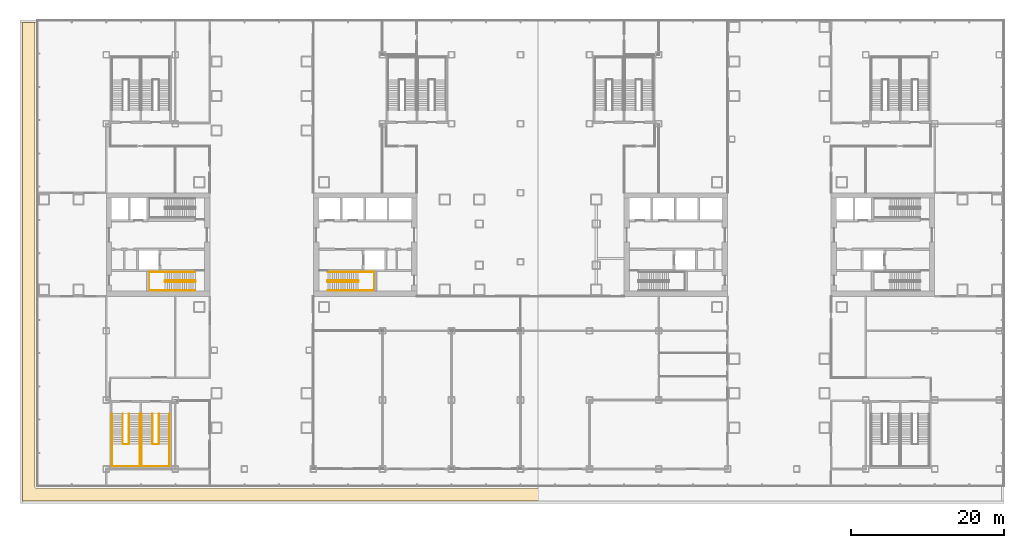
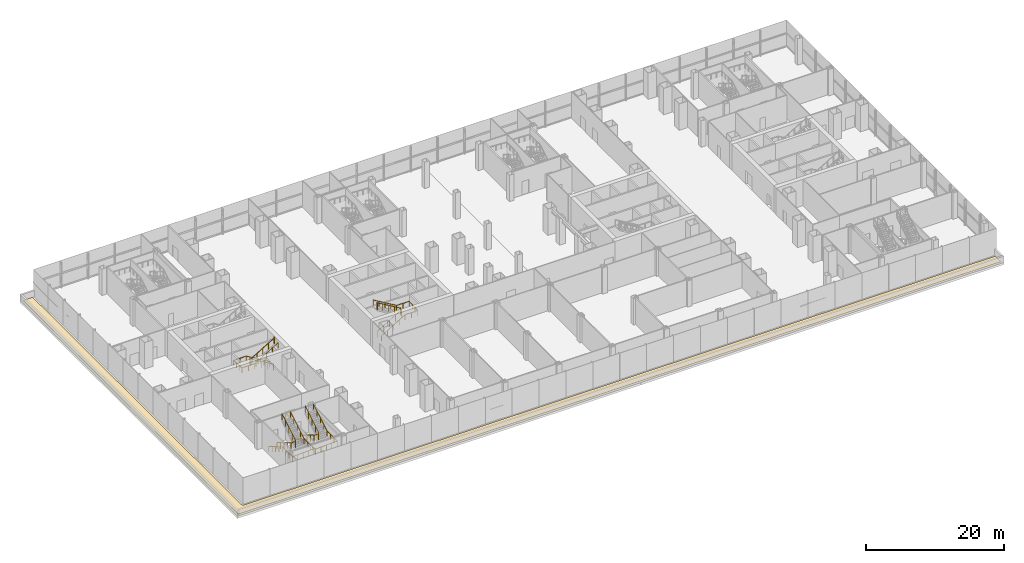
# One storey, part 26 of 30: 8 railings, 1 covering.
"""IFC4 building model written with IfcOpenShell, lengths in metres."""

from ifc_helpers import new_model, si_unit, direction, frame, origin, origin_2d, place, context, subcontext, project, spatial, polyline, circle, outline, extrude, material, layer, layer_set, type_object, element, save


model = new_model("IFC4")

# Units and contexts
model_context = context("Model", 3, precision=1e-05, world=origin(), true_north=direction((0.0, 1.0)))
body_context = subcontext(model_context, "Body", "Model", "MODEL_VIEW")
ifc_project = project(units=[si_unit("LENGTHUNIT", "METRE"), si_unit("AREAUNIT", "SQUARE_METRE"), si_unit("VOLUMEUNIT", "CUBIC_METRE"), si_unit("PLANEANGLEUNIT", "RADIAN"), si_unit("MASSUNIT", "GRAM", prefix="KILO")], contexts=[model_context])

# Site, building, storey
site_placement = place(None, origin())
site = spatial("IfcSite", under=ifc_project, at=site_placement, CompositionType="ELEMENT")
building_placement = place(site_placement, origin())
building = spatial("IfcBuilding", under=site, at=building_placement, Name="Shamsa Quay Exchange Towers", CompositionType="ELEMENT")
storey_placement = place(building_placement, frame((0.0, 0.0, 23.5)))
storey = spatial("IfcBuildingStorey", under=building, at=storey_placement, Name="L04", CompositionType="ELEMENT", Elevation=23.5)

# Covering
ifc_material_1 = material(Name="Bituminous waterproofing membrane with ballast")
ifc_layer = layer(ifc_material_1, 0.06005859375)
ifc_layer_set = layer_set([ifc_layer], Name="ROOF MEMBRANE 60")
covering_type = type_object("IfcCoveringType", Name="ROOF MEMBRANE 60", PredefinedType="ROOFING", material=ifc_layer_set)
covering_placement = place(storey_placement, origin())
element("IfcCovering", 1, at=covering_placement, inside=storey, type_object=covering_type, Name="Roof membrane 1.1", PredefinedType="ROOFING", context=body_context, shape_type="SweptSolid", body=[
    extrude(outline(polyline([(-63.30615234375, -31.5927734375), (-63.295654296875, -31.62255859375), (-63.2822265625, -31.65087890625), (-63.26611328125, -31.677734375), (-63.247314453125, -31.703125), (-63.226318359375, -31.726318359375), (-63.203125, -31.747314453125), (-63.177734375, -31.76611328125), (-63.15087890625, -31.7822265625), (-63.12255859375, -31.795654296875), (-63.0927734375, -31.80615234375), (-63.0625, -31.81396484375), (-63.03125, -31.818359375), (-63.0, -31.820068359375), (62.679931640625, -31.820068359375), (62.679931640625, -33.429931640625), (-64.929931640625, -33.429931640625), (-64.929931640625, 28.929931640625), (-63.320068359375, 28.929931640625), (-63.320068359375, -31.5), (-63.318359375, -31.53125), (-63.31396484375, -31.5625), (-63.30615234375, -31.5927734375)])), origin(), (0.0, 0.0, 1.0), 0.06005859375),
])

# Railings
ifc_material_2 = material(Name="Stainless steel", Category="steel")
railing_type_1 = type_object("IfcRailingType", Name="STAIR GUARD 1100", PredefinedType="GUARDRAIL", material=ifc_material_2)
railing_1_placement = place(storey_placement, frame((-25.10009765625, -4.89990234375, 0.166748046875)))
element("IfcRailing", 2, at=railing_1_placement, inside=storey, type_object=railing_type_1, Name="L04 ST1 stair guard 1", PredefinedType="GUARDRAIL", context=body_context, shape_type="SweptSolid", body=[
    extrude(circle(Radius=0.02392578125, at=origin_2d()), frame((0.0, 0.0, 1.076171875), z_axis=(0.859310244771, 0.0, 0.511454693235), x_axis=(0.0, 1.0, 0.0)), (0.0, 0.0, 1.0), 4.56201171875),
    extrude(circle(Radius=0.02392578125, at=origin_2d()), frame((3.920166015625, 0.0, 3.4091796875), z_axis=(0.708833529934, 0.705375805398, 0.0), x_axis=(-0.705375805398, 0.708833529934, 0.0)), (0.0, 0.0, 1.0), 0.070556640625),
    extrude(circle(Radius=0.02392578125, at=origin_2d()), frame((3.97021484375, 0.0498046875, 3.4091796875), z_axis=(0.0, 1.0, 0.0), x_axis=(-1.0, 0.0, 0.0)), (0.0, 0.0, 1.0), 0.150146484375),
    extrude(circle(Radius=0.02392578125, at=origin_2d()), frame((3.97021484375, 0.199951171875, 3.4091796875), z_axis=(-0.27628659633, 0.27628659633, 0.920506074601), x_axis=(-0.707106781187, -0.707106781187, 0.0)), (0.0, 0.0, 1.0), 0.18115234375),
    extrude(circle(Radius=0.02392578125, at=origin_2d()), frame((3.920166015625, 0.25, 3.576171875), z_axis=(-0.859310244771, 0.0, 0.511454693235), x_axis=(0.0, -1.0, 0.0)), (0.0, 0.0, 1.0), 4.56201171875),
    extrude(circle(Radius=0.02392578125, at=origin_2d()), frame((0.0, 0.25, 5.9091796875), z_axis=(-0.24142163986, -0.970420317083, 0.0), x_axis=(0.970420317083, -0.24142163986, 0.0)), (0.0, 0.0, 1.0), 0.206298828125),
    extrude(circle(Radius=0.02392578125, at=origin_2d()), frame((-0.0498046875, 0.0498046875, 5.9091796875), z_axis=(0.0, 1.0, 0.0), x_axis=(-1.0, 0.0, 0.0)), (0.0, 0.0, 1.0), 0.150146484375),
    extrude(circle(Radius=0.02099609375, at=origin_2d()), origin(), (0.0, 0.0, 1.0), 1.052001953125),
    extrude(circle(Radius=0.02099609375, at=origin_2d()), frame((0.97998046875, 0.0, 0.583251953125)), (0.0, 0.0, 1.0), 1.052001953125),
    extrude(circle(Radius=0.02099609375, at=origin_2d()), frame((1.9599609375, 0.0, 1.16650390625)), (0.0, 0.0, 1.0), 1.052001953125),
    extrude(circle(Radius=0.02099609375, at=origin_2d()), frame((2.940185546875, 0.0, 1.75)), (0.0, 0.0, 1.0), 1.052001953125),
    extrude(circle(Radius=0.02099609375, at=origin_2d()), frame((3.920166015625, 0.0, 2.333251953125)), (0.0, 0.0, 1.0), 1.052001953125),
    extrude(circle(Radius=0.02099609375, at=origin_2d()), frame((3.97021484375, 0.0498046875, 2.333251953125)), (0.0, 0.0, 1.0), 1.052001953125),
    extrude(circle(Radius=0.02099609375, at=origin_2d()), frame((3.97021484375, 0.199951171875, 2.333251953125)), (0.0, 0.0, 1.0), 1.052001953125),
    extrude(circle(Radius=0.02099609375, at=origin_2d()), frame((3.920166015625, 0.25, 2.5)), (0.0, 0.0, 1.0), 1.052001953125),
    extrude(circle(Radius=0.02099609375, at=origin_2d()), frame((2.940185546875, 0.25, 3.083251953125)), (0.0, 0.0, 1.0), 1.052001953125),
    extrude(circle(Radius=0.02099609375, at=origin_2d()), frame((1.9599609375, 0.25, 3.66650390625)), (0.0, 0.0, 1.0), 1.052001953125),
    extrude(circle(Radius=0.02099609375, at=origin_2d()), frame((0.97998046875, 0.25, 4.25)), (0.0, 0.0, 1.0), 1.052001953125),
    extrude(circle(Radius=0.02099609375, at=origin_2d()), frame((0.0, 0.25, 4.833251953125)), (0.0, 0.0, 1.0), 1.052001953125),
    extrude(circle(Radius=0.02099609375, at=origin_2d()), frame((-0.0498046875, 0.0498046875, 4.833251953125)), (0.0, 0.0, 1.0), 1.052001953125),
    extrude(circle(Radius=0.02099609375, at=origin_2d()), frame((-0.0498046875, 0.199951171875, 4.833251953125)), (0.0, 0.0, 1.0), 1.052001953125),
])
railing_2_placement = place(storey_placement, frame((-42.39990234375, -4.64990234375, 0.166748046875)))
element("IfcRailing", 3, at=railing_2_placement, inside=storey, type_object=railing_type_1, Name="L04 ST2 stair guard 1", PredefinedType="GUARDRAIL", context=body_context, shape_type="SweptSolid", body=[
    extrude(circle(Radius=0.02392578125, at=origin_2d()), frame((0.0, 0.0, 1.076171875), z_axis=(-0.859310244771, 0.0, 0.511454693235), x_axis=(0.0, -1.0, 0.0)), (0.0, 0.0, 1.0), 4.56201171875),
    extrude(circle(Radius=0.02392578125, at=origin_2d()), frame((-3.920166015625, 0.0, 3.4091796875), z_axis=(-0.707106781187, -0.707106781187, 0.0), x_axis=(0.707106781187, -0.707106781187, 0.0)), (0.0, 0.0, 1.0), 0.07080078125),
    extrude(circle(Radius=0.02392578125, at=origin_2d()), frame((-3.97021484375, -0.050048828125, 3.4091796875), z_axis=(0.0, -1.0, 0.0), x_axis=(1.0, 0.0, 0.0)), (0.0, 0.0, 1.0), 0.150146484375),
    extrude(circle(Radius=0.02392578125, at=origin_2d()), frame((-3.97021484375, -0.2001953125, 3.4091796875), z_axis=(0.276389281352, -0.275041040955, 0.920848191041), x_axis=(0.705375805398, 0.708833529934, 0.0)), (0.0, 0.0, 1.0), 0.18115234375),
    extrude(circle(Radius=0.02392578125, at=origin_2d()), frame((-3.920166015625, -0.25, 3.576171875), z_axis=(0.859310244771, 0.0, 0.511454693235), x_axis=(0.0, 1.0, 0.0)), (0.0, 0.0, 1.0), 4.56201171875),
    extrude(circle(Radius=0.02392578125, at=origin_2d()), frame((0.0, -0.25, 5.9091796875), z_axis=(0.241699205484, 0.970351222016, 0.0), x_axis=(-0.970351222016, 0.241699205484, 0.0)), (0.0, 0.0, 1.0), 0.2060546875),
    extrude(circle(Radius=0.02392578125, at=origin_2d()), frame((0.0498046875, -0.050048828125, 5.9091796875), z_axis=(0.0, -1.0, 0.0), x_axis=(1.0, 0.0, 0.0)), (0.0, 0.0, 1.0), 0.150146484375),
    extrude(circle(Radius=0.02099609375, at=origin_2d()), origin(), (0.0, 0.0, 1.0), 1.052001953125),
    extrude(circle(Radius=0.02099609375, at=origin_2d()), frame((-0.97998046875, 0.0, 0.583251953125)), (0.0, 0.0, 1.0), 1.052001953125),
    extrude(circle(Radius=0.02099609375, at=origin_2d()), frame((-1.9599609375, 0.0, 1.16650390625)), (0.0, 0.0, 1.0), 1.052001953125),
    extrude(circle(Radius=0.02099609375, at=origin_2d()), frame((-2.940185546875, 0.0, 1.75)), (0.0, 0.0, 1.0), 1.052001953125),
    extrude(circle(Radius=0.02099609375, at=origin_2d()), frame((-3.920166015625, 0.0, 2.333251953125)), (0.0, 0.0, 1.0), 1.052001953125),
    extrude(circle(Radius=0.02099609375, at=origin_2d()), frame((-3.97021484375, -0.050048828125, 2.333251953125)), (0.0, 0.0, 1.0), 1.052001953125),
    extrude(circle(Radius=0.02099609375, at=origin_2d()), frame((-3.97021484375, -0.2001953125, 2.333251953125)), (0.0, 0.0, 1.0), 1.052001953125),
    extrude(circle(Radius=0.02099609375, at=origin_2d()), frame((-3.920166015625, -0.25, 2.5)), (0.0, 0.0, 1.0), 1.052001953125),
    extrude(circle(Radius=0.02099609375, at=origin_2d()), frame((-2.940185546875, -0.25, 3.083251953125)), (0.0, 0.0, 1.0), 1.052001953125),
    extrude(circle(Radius=0.02099609375, at=origin_2d()), frame((-1.9599609375, -0.25, 3.66650390625)), (0.0, 0.0, 1.0), 1.052001953125),
    extrude(circle(Radius=0.02099609375, at=origin_2d()), frame((-0.97998046875, -0.25, 4.25)), (0.0, 0.0, 1.0), 1.052001953125),
    extrude(circle(Radius=0.02099609375, at=origin_2d()), frame((0.0, -0.25, 4.833251953125)), (0.0, 0.0, 1.0), 1.052001953125),
    extrude(circle(Radius=0.02099609375, at=origin_2d()), frame((0.0498046875, -0.050048828125, 4.833251953125)), (0.0, 0.0, 1.0), 1.052001953125),
    extrude(circle(Radius=0.02099609375, at=origin_2d()), frame((0.0498046875, -0.2001953125, 4.833251953125)), (0.0, 0.0, 1.0), 1.052001953125),
])
railing_3_placement = place(storey_placement, frame((-51.85009765625, -22.050048828125, 0.166748046875)))
element("IfcRailing", 4, at=railing_3_placement, inside=storey, type_object=railing_type_1, Name="L04 PS5A stair guard 1", PredefinedType="GUARDRAIL", context=body_context, shape_type="SweptSolid", body=[
    extrude(circle(Radius=0.02392578125, at=origin_2d()), frame((0.0, 0.0, 1.076171875), z_axis=(0.0, -0.859296244711, 0.511478214419), x_axis=(1.0, 0.0, 0.0)), (0.0, 0.0, 1.0), 4.561767578125),
    extrude(circle(Radius=0.02392578125, at=origin_2d()), frame((0.0, -3.919921875, 3.4091796875), z_axis=(0.707106781187, -0.707106781187, 0.0), x_axis=(0.707106781187, 0.707106781187, 0.0)), (0.0, 0.0, 1.0), 0.07080078125),
    extrude(circle(Radius=0.02392578125, at=origin_2d()), frame((0.050048828125, -3.969970703125, 3.4091796875), z_axis=(1.0, 0.0, 0.0), x_axis=(0.0, 1.0, 0.0)), (0.0, 0.0, 1.0), 0.72509765625),
    extrude(circle(Radius=0.02392578125, at=origin_2d()), frame((0.775146484375, -3.969970703125, 3.4091796875), z_axis=(0.27628659633, 0.27628659633, 0.920506074601), x_axis=(-0.707106781187, 0.707106781187, 0.0)), (0.0, 0.0, 1.0), 0.18115234375),
    extrude(circle(Radius=0.02392578125, at=origin_2d()), frame((0.8251953125, -3.919921875, 3.576171875), z_axis=(0.0, 0.859296244711, 0.511478214419), x_axis=(-1.0, 0.0, 0.0)), (0.0, 0.0, 1.0), 4.561767578125),
    extrude(circle(Radius=0.02099609375, at=origin_2d()), origin(), (0.0, 0.0, 1.0), 1.052001953125),
    extrude(circle(Radius=0.02099609375, at=origin_2d()), frame((0.0, -0.97998046875, 0.583251953125)), (0.0, 0.0, 1.0), 1.052001953125),
    extrude(circle(Radius=0.02099609375, at=origin_2d()), frame((0.0, -1.9599609375, 1.16650390625)), (0.0, 0.0, 1.0), 1.052001953125),
    extrude(circle(Radius=0.02099609375, at=origin_2d()), frame((0.0, -2.93994140625, 1.75)), (0.0, 0.0, 1.0), 1.052001953125),
    extrude(circle(Radius=0.02099609375, at=origin_2d()), frame((0.0, -3.919921875, 2.333251953125)), (0.0, 0.0, 1.0), 1.052001953125),
    extrude(circle(Radius=0.02099609375, at=origin_2d()), frame((0.050048828125, -3.969970703125, 2.333251953125)), (0.0, 0.0, 1.0), 1.052001953125),
    extrude(circle(Radius=0.02099609375, at=origin_2d()), frame((0.775146484375, -3.969970703125, 2.333251953125)), (0.0, 0.0, 1.0), 1.052001953125),
    extrude(circle(Radius=0.02099609375, at=origin_2d()), frame((0.8251953125, -3.919921875, 2.5)), (0.0, 0.0, 1.0), 1.052001953125),
    extrude(circle(Radius=0.02099609375, at=origin_2d()), frame((0.8251953125, -2.93994140625, 3.083251953125)), (0.0, 0.0, 1.0), 1.052001953125),
    extrude(circle(Radius=0.02099609375, at=origin_2d()), frame((0.8251953125, -1.9599609375, 3.66650390625)), (0.0, 0.0, 1.0), 1.052001953125),
    extrude(circle(Radius=0.02099609375, at=origin_2d()), frame((0.8251953125, -0.97998046875, 4.25)), (0.0, 0.0, 1.0), 1.052001953125),
    extrude(circle(Radius=0.02099609375, at=origin_2d()), frame((0.8251953125, 0.0, 4.833251953125)), (0.0, 0.0, 1.0), 1.052001953125),
])
railing_4_placement = place(storey_placement, frame((-47.97509765625, -22.050048828125, 0.166748046875)))
element("IfcRailing", 5, at=railing_4_placement, inside=storey, type_object=railing_type_1, Name="L04 PS5B stair guard 1", PredefinedType="GUARDRAIL", context=body_context, shape_type="SweptSolid", body=[
    extrude(circle(Radius=0.02392578125, at=origin_2d()), frame((0.0, 0.0, 1.076171875), z_axis=(0.0, -0.859296244711, 0.511478214419), x_axis=(1.0, 0.0, 0.0)), (0.0, 0.0, 1.0), 4.561767578125),
    extrude(circle(Radius=0.02392578125, at=origin_2d()), frame((0.0, -3.919921875, 3.4091796875), z_axis=(0.707106781187, -0.707106781187, 0.0), x_axis=(0.707106781187, 0.707106781187, 0.0)), (0.0, 0.0, 1.0), 0.07080078125),
    extrude(circle(Radius=0.02392578125, at=origin_2d()), frame((0.050048828125, -3.969970703125, 3.4091796875), z_axis=(1.0, 0.0, 0.0), x_axis=(0.0, 1.0, 0.0)), (0.0, 0.0, 1.0), 0.72509765625),
    extrude(circle(Radius=0.02392578125, at=origin_2d()), frame((0.775146484375, -3.969970703125, 3.4091796875), z_axis=(0.27628659633, 0.27628659633, 0.920506074601), x_axis=(-0.707106781187, 0.707106781187, 0.0)), (0.0, 0.0, 1.0), 0.18115234375),
    extrude(circle(Radius=0.02392578125, at=origin_2d()), frame((0.8251953125, -3.919921875, 3.576171875), z_axis=(0.0, 0.859296244711, 0.511478214419), x_axis=(-1.0, 0.0, 0.0)), (0.0, 0.0, 1.0), 4.561767578125),
    extrude(circle(Radius=0.02099609375, at=origin_2d()), origin(), (0.0, 0.0, 1.0), 1.052001953125),
    extrude(circle(Radius=0.02099609375, at=origin_2d()), frame((0.0, -0.97998046875, 0.583251953125)), (0.0, 0.0, 1.0), 1.052001953125),
    extrude(circle(Radius=0.02099609375, at=origin_2d()), frame((0.0, -1.9599609375, 1.16650390625)), (0.0, 0.0, 1.0), 1.052001953125),
    extrude(circle(Radius=0.02099609375, at=origin_2d()), frame((0.0, -2.93994140625, 1.75)), (0.0, 0.0, 1.0), 1.052001953125),
    extrude(circle(Radius=0.02099609375, at=origin_2d()), frame((0.0, -3.919921875, 2.333251953125)), (0.0, 0.0, 1.0), 1.052001953125),
    extrude(circle(Radius=0.02099609375, at=origin_2d()), frame((0.050048828125, -3.969970703125, 2.333251953125)), (0.0, 0.0, 1.0), 1.052001953125),
    extrude(circle(Radius=0.02099609375, at=origin_2d()), frame((0.775146484375, -3.969970703125, 2.333251953125)), (0.0, 0.0, 1.0), 1.052001953125),
    extrude(circle(Radius=0.02099609375, at=origin_2d()), frame((0.8251953125, -3.919921875, 2.5)), (0.0, 0.0, 1.0), 1.052001953125),
    extrude(circle(Radius=0.02099609375, at=origin_2d()), frame((0.8251953125, -2.93994140625, 3.083251953125)), (0.0, 0.0, 1.0), 1.052001953125),
    extrude(circle(Radius=0.02099609375, at=origin_2d()), frame((0.8251953125, -1.9599609375, 3.66650390625)), (0.0, 0.0, 1.0), 1.052001953125),
    extrude(circle(Radius=0.02099609375, at=origin_2d()), frame((0.8251953125, -0.97998046875, 4.25)), (0.0, 0.0, 1.0), 1.052001953125),
    extrude(circle(Radius=0.02099609375, at=origin_2d()), frame((0.8251953125, 0.0, 4.833251953125)), (0.0, 0.0, 1.0), 1.052001953125),
])
railing_type_2 = type_object("IfcRailingType", Name="STAIR HANDRAIL 900", PredefinedType="HANDRAIL", material=ifc_material_2)
railing_5_placement = place(storey_placement, frame((-25.10009765625, -6.0, 0.166748046875)))
element("IfcRailing", 6, at=railing_5_placement, inside=storey, type_object=railing_type_2, Name="L04 ST1 stair handrail 1", PredefinedType="HANDRAIL", context=body_context, shape_type="SweptSolid", body=[
    extrude(circle(Radius=0.02392578125, at=origin_2d()), frame((0.0, 0.0, 0.8759765625), z_axis=(0.859310244771, 0.0, 0.511454693235), x_axis=(0.0, 1.0, 0.0)), (0.0, 0.0, 1.0), 4.56201171875),
    extrude(circle(Radius=0.02392578125, at=origin_2d()), frame((3.920166015625, 0.0, 3.208984375), z_axis=(1.0, 0.0, 0.0), x_axis=(0.0, 1.0, 0.0)), (0.0, 0.0, 1.0), 2.1298828125),
    extrude(circle(Radius=0.02392578125, at=origin_2d()), frame((6.050048828125, 0.0, 3.208984375), z_axis=(0.0, 0.997691813052, 0.067904684436), x_axis=(-1.0, 0.0, 0.0)), (0.0, 0.0, 1.0), 2.45556640625),
    extrude(circle(Radius=0.02392578125, at=origin_2d()), frame((6.050048828125, 2.449951171875, 3.3759765625), z_axis=(-1.0, 0.0, 0.0), x_axis=(0.0, -1.0, 0.0)), (0.0, 0.0, 1.0), 2.1298828125),
    extrude(circle(Radius=0.02392578125, at=origin_2d()), frame((3.920166015625, 2.449951171875, 3.3759765625), z_axis=(-0.859310244771, 0.0, 0.511454693235), x_axis=(0.0, -1.0, 0.0)), (0.0, 0.0, 1.0), 4.56201171875),
    extrude(circle(Radius=0.02099609375, at=origin_2d()), origin(), (0.0, 0.0, 1.0), 0.851806640625),
    extrude(circle(Radius=0.02099609375, at=origin_2d()), frame((0.97998046875, 0.0, 0.583251953125)), (0.0, 0.0, 1.0), 0.851806640625),
    extrude(circle(Radius=0.02099609375, at=origin_2d()), frame((1.9599609375, 0.0, 1.16650390625)), (0.0, 0.0, 1.0), 0.851806640625),
    extrude(circle(Radius=0.02099609375, at=origin_2d()), frame((2.940185546875, 0.0, 1.75)), (0.0, 0.0, 1.0), 0.851806640625),
    extrude(circle(Radius=0.02099609375, at=origin_2d()), frame((3.920166015625, 0.0, 2.333251953125)), (0.0, 0.0, 1.0), 0.851806640625),
    extrude(circle(Radius=0.02099609375, at=origin_2d()), frame((4.985107421875, 0.0, 2.333251953125)), (0.0, 0.0, 1.0), 0.851806640625),
    extrude(circle(Radius=0.02099609375, at=origin_2d()), frame((6.050048828125, 0.0, 2.333251953125)), (0.0, 0.0, 1.0), 0.851806640625),
    extrude(circle(Radius=0.02099609375, at=origin_2d()), frame((6.050048828125, 0.816650390625, 2.388916015625)), (0.0, 0.0, 1.0), 0.851806640625),
    extrude(circle(Radius=0.02099609375, at=origin_2d()), frame((6.050048828125, 1.63330078125, 2.4443359375)), (0.0, 0.0, 1.0), 0.851806640625),
    extrude(circle(Radius=0.02099609375, at=origin_2d()), frame((6.050048828125, 2.449951171875, 2.5)), (0.0, 0.0, 1.0), 0.851806640625),
    extrude(circle(Radius=0.02099609375, at=origin_2d()), frame((4.985107421875, 2.449951171875, 2.5)), (0.0, 0.0, 1.0), 0.851806640625),
    extrude(circle(Radius=0.02099609375, at=origin_2d()), frame((3.920166015625, 2.449951171875, 2.5)), (0.0, 0.0, 1.0), 0.851806640625),
    extrude(circle(Radius=0.02099609375, at=origin_2d()), frame((2.940185546875, 2.449951171875, 3.083251953125)), (0.0, 0.0, 1.0), 0.851806640625),
    extrude(circle(Radius=0.02099609375, at=origin_2d()), frame((1.9599609375, 2.449951171875, 3.66650390625)), (0.0, 0.0, 1.0), 0.851806640625),
    extrude(circle(Radius=0.02099609375, at=origin_2d()), frame((0.97998046875, 2.449951171875, 4.25)), (0.0, 0.0, 1.0), 0.851806640625),
    extrude(circle(Radius=0.02099609375, at=origin_2d()), frame((0.0, 2.449951171875, 4.833251953125)), (0.0, 0.0, 1.0), 0.851806640625),
])
railing_6_placement = place(storey_placement, frame((-42.39990234375, -3.550048828125, 0.166748046875)))
element("IfcRailing", 7, at=railing_6_placement, inside=storey, type_object=railing_type_2, Name="L04 ST2 stair handrail 1", PredefinedType="HANDRAIL", context=body_context, shape_type="SweptSolid", body=[
    extrude(circle(Radius=0.02392578125, at=origin_2d()), frame((0.0, 0.0, 0.8759765625), z_axis=(-0.859310244771, 0.0, 0.511454693235), x_axis=(0.0, -1.0, 0.0)), (0.0, 0.0, 1.0), 4.56201171875),
    extrude(circle(Radius=0.02392578125, at=origin_2d()), frame((-3.920166015625, 0.0, 3.208984375), z_axis=(-1.0, 0.0, 0.0), x_axis=(0.0, -1.0, 0.0)), (0.0, 0.0, 1.0), 2.1298828125),
    extrude(circle(Radius=0.02392578125, at=origin_2d()), frame((-6.050048828125, 0.0, 3.208984375), z_axis=(0.0, -0.997691813052, 0.067904684436), x_axis=(1.0, 0.0, 0.0)), (0.0, 0.0, 1.0), 2.45556640625),
    extrude(circle(Radius=0.02392578125, at=origin_2d()), frame((-6.050048828125, -2.449951171875, 3.3759765625), z_axis=(1.0, 0.0, 0.0), x_axis=(0.0, 1.0, 0.0)), (0.0, 0.0, 1.0), 2.1298828125),
    extrude(circle(Radius=0.02392578125, at=origin_2d()), frame((-3.920166015625, -2.449951171875, 3.3759765625), z_axis=(0.859310244771, 0.0, 0.511454693235), x_axis=(0.0, 1.0, 0.0)), (0.0, 0.0, 1.0), 4.56201171875),
    extrude(circle(Radius=0.02099609375, at=origin_2d()), origin(), (0.0, 0.0, 1.0), 0.851806640625),
    extrude(circle(Radius=0.02099609375, at=origin_2d()), frame((-0.97998046875, 0.0, 0.583251953125)), (0.0, 0.0, 1.0), 0.851806640625),
    extrude(circle(Radius=0.02099609375, at=origin_2d()), frame((-1.9599609375, 0.0, 1.16650390625)), (0.0, 0.0, 1.0), 0.851806640625),
    extrude(circle(Radius=0.02099609375, at=origin_2d()), frame((-2.940185546875, 0.0, 1.75)), (0.0, 0.0, 1.0), 0.851806640625),
    extrude(circle(Radius=0.02099609375, at=origin_2d()), frame((-3.920166015625, 0.0, 2.333251953125)), (0.0, 0.0, 1.0), 0.851806640625),
    extrude(circle(Radius=0.02099609375, at=origin_2d()), frame((-4.985107421875, 0.0, 2.333251953125)), (0.0, 0.0, 1.0), 0.851806640625),
    extrude(circle(Radius=0.02099609375, at=origin_2d()), frame((-6.050048828125, 0.0, 2.333251953125)), (0.0, 0.0, 1.0), 0.851806640625),
    extrude(circle(Radius=0.02099609375, at=origin_2d()), frame((-6.050048828125, -0.816650390625, 2.388916015625)), (0.0, 0.0, 1.0), 0.851806640625),
    extrude(circle(Radius=0.02099609375, at=origin_2d()), frame((-6.050048828125, -1.63330078125, 2.4443359375)), (0.0, 0.0, 1.0), 0.851806640625),
    extrude(circle(Radius=0.02099609375, at=origin_2d()), frame((-6.050048828125, -2.449951171875, 2.5)), (0.0, 0.0, 1.0), 0.851806640625),
    extrude(circle(Radius=0.02099609375, at=origin_2d()), frame((-4.985107421875, -2.449951171875, 2.5)), (0.0, 0.0, 1.0), 0.851806640625),
    extrude(circle(Radius=0.02099609375, at=origin_2d()), frame((-3.920166015625, -2.449951171875, 2.5)), (0.0, 0.0, 1.0), 0.851806640625),
    extrude(circle(Radius=0.02099609375, at=origin_2d()), frame((-2.940185546875, -2.449951171875, 3.083251953125)), (0.0, 0.0, 1.0), 0.851806640625),
    extrude(circle(Radius=0.02099609375, at=origin_2d()), frame((-1.9599609375, -2.449951171875, 3.66650390625)), (0.0, 0.0, 1.0), 0.851806640625),
    extrude(circle(Radius=0.02099609375, at=origin_2d()), frame((-0.97998046875, -2.449951171875, 4.25)), (0.0, 0.0, 1.0), 0.851806640625),
    extrude(circle(Radius=0.02099609375, at=origin_2d()), frame((0.0, -2.449951171875, 4.833251953125)), (0.0, 0.0, 1.0), 0.851806640625),
])
railing_7_placement = place(storey_placement, frame((-53.25, -22.050048828125, 0.166748046875)))
element("IfcRailing", 8, at=railing_7_placement, inside=storey, type_object=railing_type_2, Name="L04 PS5A stair handrail 1", PredefinedType="HANDRAIL", context=body_context, shape_type="SweptSolid", body=[
    extrude(circle(Radius=0.02392578125, at=origin_2d()), frame((0.0, 0.0, 0.8759765625), z_axis=(0.0, -0.859296244711, 0.511478214419), x_axis=(1.0, 0.0, 0.0)), (0.0, 0.0, 1.0), 4.561767578125),
    extrude(circle(Radius=0.02392578125, at=origin_2d()), frame((0.0, -3.919921875, 3.208984375), z_axis=(0.0, -1.0, 0.0), x_axis=(1.0, 0.0, 0.0)), (0.0, 0.0, 1.0), 2.929931640625),
    extrude(circle(Radius=0.02392578125, at=origin_2d()), frame((0.0, -6.849853515625, 3.208984375), z_axis=(0.998943700797, 0.0, 0.045950872013), x_axis=(0.0, 1.0, 0.0)), (0.0, 0.0, 1.0), 3.62890625),
    extrude(circle(Radius=0.02392578125, at=origin_2d()), frame((3.625, -6.849853515625, 3.3759765625), z_axis=(0.0, 1.0, 0.0), x_axis=(-1.0, 0.0, 0.0)), (0.0, 0.0, 1.0), 2.929931640625),
    extrude(circle(Radius=0.02392578125, at=origin_2d()), frame((3.625, -3.919921875, 3.3759765625), z_axis=(0.0, 0.859296244711, 0.511478214419), x_axis=(-1.0, 0.0, 0.0)), (0.0, 0.0, 1.0), 4.561767578125),
    extrude(circle(Radius=0.02099609375, at=origin_2d()), origin(), (0.0, 0.0, 1.0), 0.851806640625),
    extrude(circle(Radius=0.02099609375, at=origin_2d()), frame((0.0, -0.97998046875, 0.583251953125)), (0.0, 0.0, 1.0), 0.851806640625),
    extrude(circle(Radius=0.02099609375, at=origin_2d()), frame((0.0, -1.9599609375, 1.16650390625)), (0.0, 0.0, 1.0), 0.851806640625),
    extrude(circle(Radius=0.02099609375, at=origin_2d()), frame((0.0, -2.93994140625, 1.75)), (0.0, 0.0, 1.0), 0.851806640625),
    extrude(circle(Radius=0.02099609375, at=origin_2d()), frame((0.0, -3.919921875, 2.333251953125)), (0.0, 0.0, 1.0), 0.851806640625),
    extrude(circle(Radius=0.02099609375, at=origin_2d()), frame((0.0, -4.896484375, 2.333251953125)), (0.0, 0.0, 1.0), 0.851806640625),
    extrude(circle(Radius=0.02099609375, at=origin_2d()), frame((0.0, -5.873291015625, 2.333251953125)), (0.0, 0.0, 1.0), 0.851806640625),
    extrude(circle(Radius=0.02099609375, at=origin_2d()), frame((0.0, -6.849853515625, 2.333251953125)), (0.0, 0.0, 1.0), 0.851806640625),
    extrude(circle(Radius=0.02099609375, at=origin_2d()), frame((0.90625, -6.849853515625, 2.375)), (0.0, 0.0, 1.0), 0.851806640625),
    extrude(circle(Radius=0.02099609375, at=origin_2d()), frame((1.8125, -6.849853515625, 2.41650390625)), (0.0, 0.0, 1.0), 0.851806640625),
    extrude(circle(Radius=0.02099609375, at=origin_2d()), frame((2.71875, -6.849853515625, 2.458251953125)), (0.0, 0.0, 1.0), 0.851806640625),
    extrude(circle(Radius=0.02099609375, at=origin_2d()), frame((3.625, -6.849853515625, 2.5)), (0.0, 0.0, 1.0), 0.851806640625),
    extrude(circle(Radius=0.02099609375, at=origin_2d()), frame((3.625, -5.873291015625, 2.5)), (0.0, 0.0, 1.0), 0.851806640625),
    extrude(circle(Radius=0.02099609375, at=origin_2d()), frame((3.625, -4.896484375, 2.5)), (0.0, 0.0, 1.0), 0.851806640625),
    extrude(circle(Radius=0.02099609375, at=origin_2d()), frame((3.625, -3.919921875, 2.5)), (0.0, 0.0, 1.0), 0.851806640625),
    extrude(circle(Radius=0.02099609375, at=origin_2d()), frame((3.625, -2.93994140625, 3.083251953125)), (0.0, 0.0, 1.0), 0.851806640625),
    extrude(circle(Radius=0.02099609375, at=origin_2d()), frame((3.625, -1.9599609375, 3.66650390625)), (0.0, 0.0, 1.0), 0.851806640625),
    extrude(circle(Radius=0.02099609375, at=origin_2d()), frame((3.625, -0.97998046875, 4.25)), (0.0, 0.0, 1.0), 0.851806640625),
    extrude(circle(Radius=0.02099609375, at=origin_2d()), frame((3.625, 0.0, 4.833251953125)), (0.0, 0.0, 1.0), 0.851806640625),
])
railing_8_placement = place(storey_placement, frame((-49.375, -22.050048828125, 0.166748046875)))
element("IfcRailing", 9, at=railing_8_placement, inside=storey, type_object=railing_type_2, Name="L04 PS5B stair handrail 1", PredefinedType="HANDRAIL", context=body_context, shape_type="SweptSolid", body=[
    extrude(circle(Radius=0.02392578125, at=origin_2d()), frame((0.0, 0.0, 0.8759765625), z_axis=(0.0, -0.859296244711, 0.511478214419), x_axis=(1.0, 0.0, 0.0)), (0.0, 0.0, 1.0), 4.561767578125),
    extrude(circle(Radius=0.02392578125, at=origin_2d()), frame((0.0, -3.919921875, 3.208984375), z_axis=(0.0, -1.0, 0.0), x_axis=(1.0, 0.0, 0.0)), (0.0, 0.0, 1.0), 2.929931640625),
    extrude(circle(Radius=0.02392578125, at=origin_2d()), frame((0.0, -6.849853515625, 3.208984375), z_axis=(0.998943700797, 0.0, 0.045950872013), x_axis=(0.0, 1.0, 0.0)), (0.0, 0.0, 1.0), 3.62890625),
    extrude(circle(Radius=0.02392578125, at=origin_2d()), frame((3.625, -6.849853515625, 3.3759765625), z_axis=(0.0, 1.0, 0.0), x_axis=(-1.0, 0.0, 0.0)), (0.0, 0.0, 1.0), 2.929931640625),
    extrude(circle(Radius=0.02392578125, at=origin_2d()), frame((3.625, -3.919921875, 3.3759765625), z_axis=(0.0, 0.859296244711, 0.511478214419), x_axis=(-1.0, 0.0, 0.0)), (0.0, 0.0, 1.0), 4.561767578125),
    extrude(circle(Radius=0.02099609375, at=origin_2d()), origin(), (0.0, 0.0, 1.0), 0.851806640625),
    extrude(circle(Radius=0.02099609375, at=origin_2d()), frame((0.0, -0.97998046875, 0.583251953125)), (0.0, 0.0, 1.0), 0.851806640625),
    extrude(circle(Radius=0.02099609375, at=origin_2d()), frame((0.0, -1.9599609375, 1.16650390625)), (0.0, 0.0, 1.0), 0.851806640625),
    extrude(circle(Radius=0.02099609375, at=origin_2d()), frame((0.0, -2.93994140625, 1.75)), (0.0, 0.0, 1.0), 0.851806640625),
    extrude(circle(Radius=0.02099609375, at=origin_2d()), frame((0.0, -3.919921875, 2.333251953125)), (0.0, 0.0, 1.0), 0.851806640625),
    extrude(circle(Radius=0.02099609375, at=origin_2d()), frame((0.0, -4.896484375, 2.333251953125)), (0.0, 0.0, 1.0), 0.851806640625),
    extrude(circle(Radius=0.02099609375, at=origin_2d()), frame((0.0, -5.873291015625, 2.333251953125)), (0.0, 0.0, 1.0), 0.851806640625),
    extrude(circle(Radius=0.02099609375, at=origin_2d()), frame((0.0, -6.849853515625, 2.333251953125)), (0.0, 0.0, 1.0), 0.851806640625),
    extrude(circle(Radius=0.02099609375, at=origin_2d()), frame((0.90625, -6.849853515625, 2.375)), (0.0, 0.0, 1.0), 0.851806640625),
    extrude(circle(Radius=0.02099609375, at=origin_2d()), frame((1.8125, -6.849853515625, 2.41650390625)), (0.0, 0.0, 1.0), 0.851806640625),
    extrude(circle(Radius=0.02099609375, at=origin_2d()), frame((2.71875, -6.849853515625, 2.458251953125)), (0.0, 0.0, 1.0), 0.851806640625),
    extrude(circle(Radius=0.02099609375, at=origin_2d()), frame((3.625, -6.849853515625, 2.5)), (0.0, 0.0, 1.0), 0.851806640625),
    extrude(circle(Radius=0.02099609375, at=origin_2d()), frame((3.625, -5.873291015625, 2.5)), (0.0, 0.0, 1.0), 0.851806640625),
    extrude(circle(Radius=0.02099609375, at=origin_2d()), frame((3.625, -4.896484375, 2.5)), (0.0, 0.0, 1.0), 0.851806640625),
    extrude(circle(Radius=0.02099609375, at=origin_2d()), frame((3.625, -3.919921875, 2.5)), (0.0, 0.0, 1.0), 0.851806640625),
    extrude(circle(Radius=0.02099609375, at=origin_2d()), frame((3.625, -2.93994140625, 3.083251953125)), (0.0, 0.0, 1.0), 0.851806640625),
    extrude(circle(Radius=0.02099609375, at=origin_2d()), frame((3.625, -1.9599609375, 3.66650390625)), (0.0, 0.0, 1.0), 0.851806640625),
    extrude(circle(Radius=0.02099609375, at=origin_2d()), frame((3.625, -0.97998046875, 4.25)), (0.0, 0.0, 1.0), 0.851806640625),
    extrude(circle(Radius=0.02099609375, at=origin_2d()), frame((3.625, 0.0, 4.833251953125)), (0.0, 0.0, 1.0), 0.851806640625),
])

save(model, "model.ifc")
